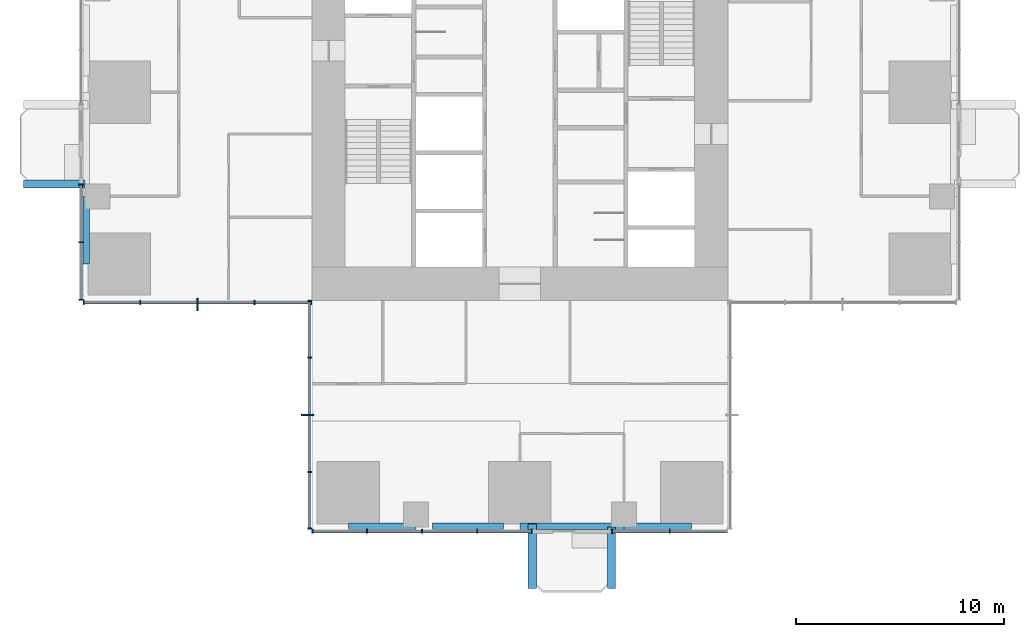
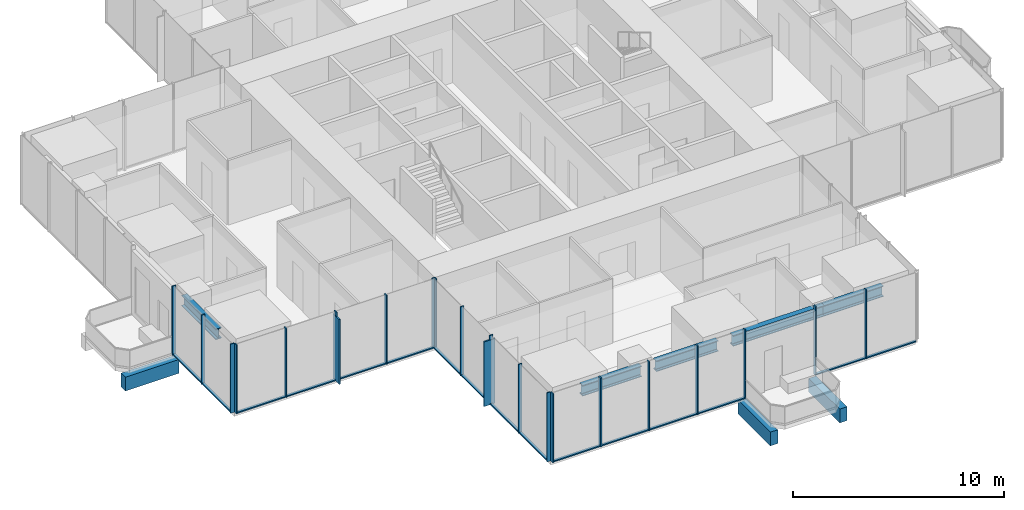
# One storey, part 2 of 14: 38 members, 8 beams, 5 elements without a shape of their own.
"""IFC4 building model written with IfcOpenShell, lengths in metres."""

import ifcopenshell
import ifcopenshell.guid

model = None  # the IFC model being written
_history = None  # IfcOwnerHistory: only IFC2X3 demands one
_inside = {}  # id of a spatial element -> (the spatial element, [elements in it])
_under = {}  # id of a project, library or spatial element -> (it, [spatial elements below it])
_declared = {}  # id of a project -> (the project, [libraries it declares])
_typed = {}  # id of a type object -> (the type object, [elements of that type])
_made_of = {}  # id of a material, layer set ... -> (it, [elements and type objects made of it])


def new_model(schema):
    """Start an empty IFC model of exactly this schema.

    Asked for "IFC4X3", IfcOpenShell would pick the latest addendum, in which some entities
    have other attributes; the version numbers below select the first issue.
    IFC2X3 requires an IfcOwnerHistory on every rooted entity: one is made here for all.
    """
    global model, _history
    if schema == "IFC4X3":
        model = ifcopenshell.file(schema_version=(4, 3, 0, 0))
    else:
        model = ifcopenshell.file(schema=schema)
    _inside.clear()
    _under.clear()
    _declared.clear()
    _typed.clear()
    _made_of.clear()
    _history = None
    if model.schema == "IFC2X3":
        org = make("IfcOrganization", Name="unknown")
        user = make(
            "IfcPersonAndOrganization",
            ThePerson=make("IfcPerson", FamilyName="unknown"),
            TheOrganization=org,
        )
        app = make(
            "IfcApplication",
            ApplicationDeveloper=org,
            Version="unknown",
            ApplicationFullName="unknown",
            ApplicationIdentifier="unknown",
        )
        _history = make(
            "IfcOwnerHistory",
            OwningUser=user,
            OwningApplication=app,
            ChangeAction="ADDED",
            CreationDate=0,
        )
    return model


def make(cls, **values):
    """One entity of the class cls with the attributes given. An attribute that is None is left unset."""
    return model.create_entity(
        cls, **{name: value for name, value in values.items() if value is not None}
    )


def rooted(cls, **values):
    """An entity with a GlobalId (a new one), such as an element, a storey or a relation."""
    return make(cls, GlobalId=ifcopenshell.guid.new(), OwnerHistory=_history, **values)


def si_unit(unit_type, name, prefix=None):
    """IfcSIUnit, for example si_unit("LENGTHUNIT", "METRE", prefix="MILLI")."""
    return make("IfcSIUnit", UnitType=unit_type, Prefix=prefix, Name=name)


def assignment(units):
    """IfcUnitAssignment: the units of a project."""
    return None if units is None else make("IfcUnitAssignment", Units=units)


def point(xyz):
    """IfcCartesianPoint."""
    return None if xyz is None else make("IfcCartesianPoint", Coordinates=xyz)


def direction(xyz):
    """IfcDirection."""
    return None if xyz is None else make("IfcDirection", DirectionRatios=xyz)


def frame(location, z_axis=None, x_axis=None):
    """IfcAxis2Placement3D, a coordinate frame: its origin and axes. An axis left out is left unset."""
    return make(
        "IfcAxis2Placement3D",
        Location=point(location),
        Axis=direction(z_axis),
        RefDirection=direction(x_axis),
    )


def frame_2d(location, x_axis=None):
    """IfcAxis2Placement2D, a coordinate frame in the plane: its origin and x axis."""
    return make(
        "IfcAxis2Placement2D", Location=point(location), RefDirection=direction(x_axis)
    )


def origin():
    """The frame at (0, 0, 0) with its axes left unset."""
    return frame((0.0, 0.0, 0.0))


def origin_2d():
    """The frame at (0, 0) in the plane with its x axis left unset."""
    return frame_2d((0.0, 0.0))


def place(relative_to, where):
    """IfcLocalPlacement: puts the frame where relative to a parent placement (None: the world)."""
    return make(
        "IfcLocalPlacement", PlacementRelTo=relative_to, RelativePlacement=where
    )


def context(
    kind, dimensions, precision=None, world=None, true_north=None, identifier=None
):
    """IfcGeometricRepresentationContext, for example the 3D "Model" context."""
    return make(
        "IfcGeometricRepresentationContext",
        ContextIdentifier=identifier,
        ContextType=kind,
        CoordinateSpaceDimension=dimensions,
        Precision=precision,
        WorldCoordinateSystem=world,
        TrueNorth=true_north,
    )


def subcontext(parent, identifier, kind, view, scale=None):
    """IfcGeometricRepresentationSubContext, for example "Body" below "Model"."""
    return make(
        "IfcGeometricRepresentationSubContext",
        ContextIdentifier=identifier,
        ContextType=kind,
        ParentContext=parent,
        TargetScale=scale,
        TargetView=view,
    )


def project(units=None, contexts=None):
    """IfcProject with its units and contexts."""
    return rooted(
        "IfcProject",
        Name="project",
        RepresentationContexts=contexts,
        UnitsInContext=assignment(units),
    )


def spatial(cls, under=None, at=None, **own):
    """A site, building, storey or space (cls), placed at a placement, below another one or the project."""
    s = rooted(cls, ObjectPlacement=at, **own)
    if under is not None:
        _under.setdefault(under.id(), (under, []))[1].append(s)
    return s


def profile(cls, at=None, kind="AREA", **sizes):
    """A parametric profile (cls). Its sizes go by their IFC names, for example OverallWidth=200.0."""
    return make(cls, ProfileType=kind, Position=at, **sizes)


def rectangle(**sizes):
    """IfcRectangleProfileDef."""
    return profile("IfcRectangleProfileDef", **sizes)


def i_section(**sizes):
    """IfcIShapeProfileDef."""
    return profile("IfcIShapeProfileDef", **sizes)


def extrude(swept, where, along, depth):
    """IfcExtrudedAreaSolid: the profile swept, set in the frame where, extruded along a direction by depth."""
    return make(
        "IfcExtrudedAreaSolid",
        SweptArea=swept,
        Position=where,
        ExtrudedDirection=direction(along),
        Depth=depth,
    )


def shape(context_of_items, identifier, shape_type, items):
    """IfcShapeRepresentation: the items that make up one representation, for example the "Body"."""
    return make(
        "IfcShapeRepresentation",
        ContextOfItems=context_of_items,
        RepresentationIdentifier=identifier,
        RepresentationType=shape_type,
        Items=items,
    )


def material(Name=None, Category=None):
    """IfcMaterial."""
    return make("IfcMaterial", Name=Name, Category=Category)


def material_profile(
    of_material, cross_section, Name=None, Category=None, Priority=None
):
    """IfcMaterialProfile: a cross section and its material."""
    return make(
        "IfcMaterialProfile",
        Name=Name,
        Material=of_material,
        Profile=cross_section,
        Priority=Priority,
        Category=Category,
    )


def profile_set(profiles, Name=None, composite=None):
    """IfcMaterialProfileSet."""
    return make(
        "IfcMaterialProfileSet",
        Name=Name,
        MaterialProfiles=profiles,
        CompositeProfile=composite,
    )


def made_of(thing, what):
    """Note that an element or type object is made of a material, layer set ...; save() writes the relation."""
    if what is not None:
        _made_of.setdefault(what.id(), (what, []))[1].append(thing)
    return thing


def type_object(cls, material=None, **own):
    """A type object (cls), such as IfcWallType, which elements share."""
    return made_of(rooted(cls, **own), material)


def element(
    cls,
    number,
    at=None,
    inside=None,
    cuts=None,
    type_object=None,
    material=None,
    context=None,
    identifier="Body",
    shape_type=None,
    held_by="IfcProductDefinitionShape",
    body=None,
    shapes=None,
    **own,
):
    """One element of the class cls, such as IfcWall. Its Tag is "e" and its number.

    at: its placement. inside: the storey or other place that contains it. cuts: it is an
    opening in that element (IfcRelVoidsElement). A single representation is given by context,
    identifier, shape_type and body (its items); several are given by shapes. held_by: the class
    of the entity that holds the representations. save() writes the other relations.
    """
    e = rooted(cls, Tag="e%d" % number, ObjectPlacement=at, **own)
    if body is not None:
        shapes = [shape(context, identifier, shape_type, body)]
    if shapes is not None:
        e.Representation = make(held_by, Representations=shapes)
    if inside is not None:
        _inside.setdefault(inside.id(), (inside, []))[1].append(e)
    if cuts is not None:
        rooted(
            "IfcRelVoidsElement", RelatingBuildingElement=cuts, RelatedOpeningElement=e
        )
    if type_object is not None:
        _typed.setdefault(type_object.id(), (type_object, []))[1].append(e)
    return made_of(e, material)


def aggregate(whole, parts):
    """IfcRelAggregates: a whole, such as a stair, and the parts it consists of."""
    return rooted("IfcRelAggregates", RelatingObject=whole, RelatedObjects=parts)


def save(model, path):
    """Write the relations noted so far, then the file.

    IfcRelAggregates (storeys below a building ...), IfcRelContainedInSpatialStructure (elements
    in a storey), IfcRelDefinesByType, IfcRelAssociatesMaterial and IfcRelDeclares: one each for
    every whole, place, type object, material and project.
    """
    for whole, parts in _under.values():
        aggregate(whole, parts)
    for where, things in _inside.values():
        rooted(
            "IfcRelContainedInSpatialStructure",
            RelatedElements=things,
            RelatingStructure=where,
        )
    for kind, things in _typed.values():
        rooted("IfcRelDefinesByType", RelatedObjects=things, RelatingType=kind)
    for what, things in _made_of.values():
        rooted("IfcRelAssociatesMaterial", RelatedObjects=things, RelatingMaterial=what)
    for by, libraries in _declared.values():
        rooted("IfcRelDeclares", RelatingContext=by, RelatedDefinitions=libraries)
    model.write(path)


model = new_model("IFC4")

# Units and contexts
model_context = context("Model", 3, precision=1e-05, world=origin(), true_north=direction((0.0, 1.0)))
body_context = subcontext(model_context, "Body", "Model", "MODEL_VIEW")
ifc_project = project(units=[si_unit("LENGTHUNIT", "METRE"), si_unit("AREAUNIT", "SQUARE_METRE"), si_unit("VOLUMEUNIT", "CUBIC_METRE"), si_unit("PLANEANGLEUNIT", "RADIAN"), si_unit("MASSUNIT", "GRAM", prefix="KILO")], contexts=[model_context])

# Site, building, storey
site_placement = place(None, origin())
site = spatial("IfcSite", under=ifc_project, at=site_placement, CompositionType="ELEMENT")
building_placement = place(site_placement, origin())
building = spatial("IfcBuilding", under=site, at=building_placement, Name="Svetlomir Tower", CompositionType="ELEMENT")
storey_placement = place(building_placement, frame((0.0, 0.0, 104.5)))
storey = spatial("IfcBuildingStorey", under=building, at=storey_placement, Name="L24", CompositionType="ELEMENT", Elevation=104.5)

# Beams
ifc_material_1 = material(Name="Concrete C60/75", Category="concrete")
ifc_material_profile_1 = material_profile(ifc_material_1, rectangle(XDim=0.39990234375, YDim=0.800048828125, at=origin_2d()), Name="RC 400x800")
ifc_profile_set_1 = profile_set([ifc_material_profile_1], Name="Concrete C60/75")
beam_type_1 = type_object("IfcBeamType", Name="BALCONY RIB RC 400x800", PredefinedType="BEAM", material=ifc_profile_set_1)
beam_1_placement = place(storey_placement, frame((21.60009765625, 0.25, -0.64990234375), z_axis=(0.0, -1.0, 0.0), x_axis=(1.0, 0.0, 0.0)))
element("IfcBeam", 1, at=beam_1_placement, inside=storey, type_object=beam_type_1, Name="Balcony rib S 1 L24", PredefinedType="BEAM", context=body_context, shape_type="SweptSolid", body=[
    extrude(rectangle(XDim=0.39990234375, YDim=0.800048828125, at=origin_2d()), origin(), (0.0, 0.0, 1.0), 3.10009765625),
])
for number, where, z_axis, x_axis, name in (
    (2, (25.39990234375, 0.10009765625, -0.64990234375), (0.0, -1.0, 0.0), (1.0, 0.0, 0.0), "Balcony rib S 2 L24"),
    (3, (0.10009765625, 16.60009765625, -0.64990234375), (-1.0, 0.0, 0.0), (0.0, -1.0, 0.0), "Balcony rib W 1 L24"),
):
    element("IfcBeam", number, at=place(storey_placement, frame(where, z_axis=z_axis, x_axis=x_axis)), inside=storey, type_object=beam_type_1, Name=name, PredefinedType="BEAM", context=body_context, shape_type="SweptSolid", body=[
        extrude(rectangle(XDim=0.39990234375, YDim=0.800048828125, at=origin_2d()), origin(), (0.0, 0.0, 1.0), 2.9501953125),
    ])

# Curtain wall, member
ifc_material_2 = material(Name="Bronze anodised aluminium curtain wall", Category="aluminium")
curtain_wall_type = type_object("IfcCurtainWallType", Name="CURTAIN WALL CW1 TOWER OFFICE", PredefinedType="NOTDEFINED", material=ifc_material_2)
curtain_wall_1_placement = place(storey_placement, origin())
curtain_wall_1 = element("IfcCurtainWall", 4, at=curtain_wall_1_placement, inside=storey, type_object=curtain_wall_type, Name="Curtain wall CW1 L24", PredefinedType="NOTDEFINED")
ifc_material_3 = material(Name="Bronze anodised aluminium", Category="aluminium")
ifc_material_profile_2 = material_profile(ifc_material_3, rectangle(XDim=0.080078125, YDim=0.60009765625, at=origin_2d()), Name="FIN 80x600")
ifc_profile_set_2 = profile_set([ifc_material_profile_2], Name="Bronze anodised aluminium 6063-T6")
member_type_1 = type_object("IfcMemberType", Name="BRONZE FIN 80x600", PredefinedType="USERDEFINED", material=ifc_profile_set_2)
member_1_placement = place(storey_placement, frame((5.5, 10.800048828125, 0.0), z_axis=(0.0, 0.0, 1.0), x_axis=(1.0, 0.0, 0.0)))
member_1 = element("IfcMember", 5, at=member_1_placement, type_object=member_type_1, Name="Bronze fin L24", ObjectType="FIN", PredefinedType="USERDEFINED", context=body_context, shape_type="SweptSolid", body=[
    extrude(rectangle(XDim=0.080078125, YDim=0.60009765625, at=origin_2d()), origin(), (0.0, 0.0, 1.0), 3.75),
])

curtain_wall_2_placement = place(storey_placement, origin())
curtain_wall_2 = element("IfcCurtainWall", 6, at=curtain_wall_2_placement, inside=storey, type_object=curtain_wall_type, Name="Curtain wall CW1 L24", PredefinedType="NOTDEFINED")
member_2_placement = place(storey_placement, frame((10.800048828125, 5.5, 0.0), z_axis=(0.0, 0.0, 1.0), x_axis=(0.0, 1.0, 0.0)))
member_2 = element("IfcMember", 7, at=member_2_placement, type_object=member_type_1, Name="Bronze fin L24", ObjectType="FIN", PredefinedType="USERDEFINED", context=body_context, shape_type="SweptSolid", body=[
    extrude(rectangle(XDim=0.080078125, YDim=0.60009765625, at=origin_2d()), origin(), (0.0, 0.0, 1.0), 3.75),
])

# Curtain wall, members
curtain_wall_3_placement = place(storey_placement, origin())
curtain_wall_3 = element("IfcCurtainWall", 8, at=curtain_wall_3_placement, inside=storey, type_object=curtain_wall_type, Name="Curtain wall CW1 L24", PredefinedType="NOTDEFINED")
ifc_material_4 = material(Name="Bronze anodised aluminium", Category="aluminium")
ifc_material_profile_3 = material_profile(ifc_material_4, rectangle(XDim=0.06494140625, YDim=0.199951171875, at=origin_2d()), Name="AL 65x200")
ifc_profile_set_3 = profile_set([ifc_material_profile_3], Name="Bronze anodised aluminium 6063-T6")
member_type_2 = type_object("IfcMemberType", Name="CW1 MULLION 65x200", PredefinedType="MULLION", material=ifc_profile_set_3)
member_3_placement = place(storey_placement, frame((11.032470703125, -0.10009765625, 0.0), z_axis=(0.0, 0.0, 1.0), x_axis=(1.0, 0.0, 0.0)))
member_3 = element("IfcMember", 9, at=member_3_placement, type_object=member_type_2, Name="CW1 mullion 1", PredefinedType="MULLION", context=body_context, shape_type="SweptSolid", body=[
    extrude(rectangle(XDim=0.06494140625, YDim=0.199951171875, at=origin_2d()), origin(), (0.0, 0.0, 1.0), 4.0),
])
member_4_placement = place(storey_placement, frame((13.64990234375, -0.10009765625, 0.0), z_axis=(0.0, 0.0, 1.0), x_axis=(1.0, 0.0, 0.0)))
member_4 = element("IfcMember", 10, at=member_4_placement, type_object=member_type_2, Name="CW1 mullion 2", PredefinedType="MULLION", context=body_context, shape_type="SweptSolid", body=[
    extrude(rectangle(XDim=0.06494140625, YDim=0.199951171875, at=origin_2d()), origin(), (0.0, 0.0, 1.0), 4.0),
])
member_5_placement = place(storey_placement, frame((16.300048828125, -0.10009765625, 0.0), z_axis=(0.0, 0.0, 1.0), x_axis=(1.0, 0.0, 0.0)))
member_5 = element("IfcMember", 11, at=member_5_placement, type_object=member_type_2, Name="CW1 mullion 3", PredefinedType="MULLION", context=body_context, shape_type="SweptSolid", body=[
    extrude(rectangle(XDim=0.06494140625, YDim=0.199951171875, at=origin_2d()), origin(), (0.0, 0.0, 1.0), 4.0),
])
member_6_placement = place(storey_placement, frame((18.949951171875, -0.10009765625, 0.0), z_axis=(0.0, 0.0, 1.0), x_axis=(1.0, 0.0, 0.0)))
member_6 = element("IfcMember", 12, at=member_6_placement, type_object=member_type_2, Name="CW1 mullion 4", PredefinedType="MULLION", context=body_context, shape_type="SweptSolid", body=[
    extrude(rectangle(XDim=0.06494140625, YDim=0.199951171875, at=origin_2d()), origin(), (0.0, 0.0, 1.0), 4.0),
])
member_7_placement = place(storey_placement, frame((21.5673828125, -0.10009765625, 0.0), z_axis=(0.0, 0.0, 1.0), x_axis=(1.0, 0.0, 0.0)))
member_7 = element("IfcMember", 13, at=member_7_placement, type_object=member_type_2, Name="CW1 mullion 5", PredefinedType="MULLION", context=body_context, shape_type="SweptSolid", body=[
    extrude(rectangle(XDim=0.06494140625, YDim=0.199951171875, at=origin_2d()), origin(), (0.0, 0.0, 1.0), 4.0),
])

curtain_wall_4_placement = place(storey_placement, origin())
curtain_wall_4 = element("IfcCurtainWall", 14, at=curtain_wall_4_placement, inside=storey, type_object=curtain_wall_type, Name="Curtain wall CW1 L24", PredefinedType="NOTDEFINED")
member_8_placement = place(storey_placement, frame((25.4326171875, -0.10009765625, 0.0), z_axis=(0.0, 0.0, 1.0), x_axis=(1.0, 0.0, 0.0)))
member_8 = element("IfcMember", 15, at=member_8_placement, type_object=member_type_2, Name="CW1 mullion 1", PredefinedType="MULLION", context=body_context, shape_type="SweptSolid", body=[
    extrude(rectangle(XDim=0.06494140625, YDim=0.199951171875, at=origin_2d()), origin(), (0.0, 0.0, 1.0), 4.0),
])
member_9_placement = place(storey_placement, frame((28.199951171875, -0.10009765625, 0.0), z_axis=(0.0, 0.0, 1.0), x_axis=(1.0, 0.0, 0.0)))
member_9 = element("IfcMember", 16, at=member_9_placement, type_object=member_type_2, Name="CW1 mullion 2", PredefinedType="MULLION", context=body_context, shape_type="SweptSolid", body=[
    extrude(rectangle(XDim=0.06494140625, YDim=0.199951171875, at=origin_2d()), origin(), (0.0, 0.0, 1.0), 4.0),
])

curtain_wall_5_placement = place(storey_placement, origin())
curtain_wall_5 = element("IfcCurtainWall", 17, at=curtain_wall_5_placement, inside=storey, type_object=curtain_wall_type, Name="Curtain wall CW1 L24", PredefinedType="NOTDEFINED")
member_10_placement = place(storey_placement, frame((-0.10009765625, 16.5673828125, 0.0), z_axis=(0.0, 0.0, 1.0), x_axis=(0.0, -1.0, 0.0)))
member_10 = element("IfcMember", 18, at=member_10_placement, type_object=member_type_2, Name="CW1 mullion 1", PredefinedType="MULLION", context=body_context, shape_type="SweptSolid", body=[
    extrude(rectangle(XDim=0.06494140625, YDim=0.199951171875, at=origin_2d()), origin(), (0.0, 0.0, 1.0), 4.0),
])
member_11_placement = place(storey_placement, frame((-0.10009765625, 13.800048828125, 0.0), z_axis=(0.0, 0.0, 1.0), x_axis=(0.0, -1.0, 0.0)))
member_11 = element("IfcMember", 19, at=member_11_placement, type_object=member_type_2, Name="CW1 mullion 2", PredefinedType="MULLION", context=body_context, shape_type="SweptSolid", body=[
    extrude(rectangle(XDim=0.06494140625, YDim=0.199951171875, at=origin_2d()), origin(), (0.0, 0.0, 1.0), 4.0),
])
member_12_placement = place(storey_placement, frame((-0.10009765625, 11.032470703125, 0.0), z_axis=(0.0, 0.0, 1.0), x_axis=(0.0, -1.0, 0.0)))
member_12 = element("IfcMember", 20, at=member_12_placement, type_object=member_type_2, Name="CW1 mullion 3", PredefinedType="MULLION", context=body_context, shape_type="SweptSolid", body=[
    extrude(rectangle(XDim=0.06494140625, YDim=0.199951171875, at=origin_2d()), origin(), (0.0, 0.0, 1.0), 4.0),
])

# Member
member_13_placement = place(storey_placement, frame((0.032470703125, 10.89990234375, 0.0), z_axis=(0.0, 0.0, 1.0), x_axis=(1.0, 0.0, 0.0)))
member_13 = element("IfcMember", 21, at=member_13_placement, type_object=member_type_2, Name="CW1 mullion 1", PredefinedType="MULLION", context=body_context, shape_type="SweptSolid", body=[
    extrude(rectangle(XDim=0.06494140625, YDim=0.199951171875, at=origin_2d()), origin(), (0.0, 0.0, 1.0), 4.0),
])

member_14_placement = place(storey_placement, frame((2.75, 10.89990234375, 0.0), z_axis=(0.0, 0.0, 1.0), x_axis=(1.0, 0.0, 0.0)))
member_14 = element("IfcMember", 22, at=member_14_placement, type_object=member_type_2, Name="CW1 mullion 2", PredefinedType="MULLION", context=body_context, shape_type="SweptSolid", body=[
    extrude(rectangle(XDim=0.06494140625, YDim=0.199951171875, at=origin_2d()), origin(), (0.0, 0.0, 1.0), 4.0),
])

member_15_placement = place(storey_placement, frame((5.5, 10.89990234375, 0.0), z_axis=(0.0, 0.0, 1.0), x_axis=(1.0, 0.0, 0.0)))
member_15 = element("IfcMember", 23, at=member_15_placement, type_object=member_type_2, Name="CW1 mullion 3", PredefinedType="MULLION", context=body_context, shape_type="SweptSolid", body=[
    extrude(rectangle(XDim=0.06494140625, YDim=0.199951171875, at=origin_2d()), origin(), (0.0, 0.0, 1.0), 4.0),
])

member_16_placement = place(storey_placement, frame((8.25, 10.89990234375, 0.0), z_axis=(0.0, 0.0, 1.0), x_axis=(1.0, 0.0, 0.0)))
member_16 = element("IfcMember", 24, at=member_16_placement, type_object=member_type_2, Name="CW1 mullion 4", PredefinedType="MULLION", context=body_context, shape_type="SweptSolid", body=[
    extrude(rectangle(XDim=0.06494140625, YDim=0.199951171875, at=origin_2d()), origin(), (0.0, 0.0, 1.0), 4.0),
])

member_17_placement = place(storey_placement, frame((10.967529296875, 10.89990234375, 0.0), z_axis=(0.0, 0.0, 1.0), x_axis=(1.0, 0.0, 0.0)))
member_17 = element("IfcMember", 25, at=member_17_placement, type_object=member_type_2, Name="CW1 mullion 5", PredefinedType="MULLION", context=body_context, shape_type="SweptSolid", body=[
    extrude(rectangle(XDim=0.06494140625, YDim=0.199951171875, at=origin_2d()), origin(), (0.0, 0.0, 1.0), 4.0),
])

member_18_placement = place(storey_placement, frame((10.89990234375, 10.967529296875, 0.0), z_axis=(0.0, 0.0, 1.0), x_axis=(0.0, -1.0, 0.0)))
member_18 = element("IfcMember", 26, at=member_18_placement, type_object=member_type_2, Name="CW1 mullion 1", PredefinedType="MULLION", context=body_context, shape_type="SweptSolid", body=[
    extrude(rectangle(XDim=0.06494140625, YDim=0.199951171875, at=origin_2d()), origin(), (0.0, 0.0, 1.0), 4.0),
])

member_19_placement = place(storey_placement, frame((10.89990234375, 8.25, 0.0), z_axis=(0.0, 0.0, 1.0), x_axis=(0.0, -1.0, 0.0)))
member_19 = element("IfcMember", 27, at=member_19_placement, type_object=member_type_2, Name="CW1 mullion 2", PredefinedType="MULLION", context=body_context, shape_type="SweptSolid", body=[
    extrude(rectangle(XDim=0.06494140625, YDim=0.199951171875, at=origin_2d()), origin(), (0.0, 0.0, 1.0), 4.0),
])

member_20_placement = place(storey_placement, frame((10.89990234375, 5.5, 0.0), z_axis=(0.0, 0.0, 1.0), x_axis=(0.0, -1.0, 0.0)))
member_20 = element("IfcMember", 28, at=member_20_placement, type_object=member_type_2, Name="CW1 mullion 3", PredefinedType="MULLION", context=body_context, shape_type="SweptSolid", body=[
    extrude(rectangle(XDim=0.06494140625, YDim=0.199951171875, at=origin_2d()), origin(), (0.0, 0.0, 1.0), 4.0),
])

member_21_placement = place(storey_placement, frame((10.89990234375, 2.75, 0.0), z_axis=(0.0, 0.0, 1.0), x_axis=(0.0, -1.0, 0.0)))
member_21 = element("IfcMember", 29, at=member_21_placement, type_object=member_type_2, Name="CW1 mullion 4", PredefinedType="MULLION", context=body_context, shape_type="SweptSolid", body=[
    extrude(rectangle(XDim=0.06494140625, YDim=0.199951171875, at=origin_2d()), origin(), (0.0, 0.0, 1.0), 4.0),
])

member_22_placement = place(storey_placement, frame((10.89990234375, 0.032470703125, 0.0), z_axis=(0.0, 0.0, 1.0), x_axis=(0.0, -1.0, 0.0)))
member_22 = element("IfcMember", 30, at=member_22_placement, type_object=member_type_2, Name="CW1 mullion 5", PredefinedType="MULLION", context=body_context, shape_type="SweptSolid", body=[
    extrude(rectangle(XDim=0.06494140625, YDim=0.199951171875, at=origin_2d()), origin(), (0.0, 0.0, 1.0), 4.0),
])

ifc_material_5 = material(Name="Bronze anodised aluminium", Category="aluminium")
ifc_material_profile_4 = material_profile(ifc_material_5, rectangle(XDim=0.139892578125, YDim=0.06494140625, at=origin_2d()), Name="AL 140x65")
ifc_profile_set_4 = profile_set([ifc_material_profile_4], Name="Bronze anodised aluminium 6063-T6")
member_type_3 = type_object("IfcMemberType", Name="CW1 TRANSOM 65x140", PredefinedType="USERDEFINED", material=ifc_profile_set_4)
member_23_placement = place(storey_placement, frame((11.06494140625, -0.10009765625, 0.032470703125), z_axis=(1.0, 0.0, 0.0), x_axis=(0.0, 1.0, 0.0)))
member_23 = element("IfcMember", 31, at=member_23_placement, type_object=member_type_3, Name="CW1 transom 1.1", ObjectType="TRANSOM", PredefinedType="USERDEFINED", context=body_context, shape_type="SweptSolid", body=[
    extrude(rectangle(XDim=0.139892578125, YDim=0.06494140625, at=origin_2d()), origin(), (0.0, 0.0, 1.0), 2.552490234375),
])

member_24_placement = place(storey_placement, frame((13.6826171875, -0.10009765625, 0.032470703125), z_axis=(1.0, 0.0, 0.0), x_axis=(0.0, 1.0, 0.0)))
member_24 = element("IfcMember", 32, at=member_24_placement, type_object=member_type_3, Name="CW1 transom 2.1", ObjectType="TRANSOM", PredefinedType="USERDEFINED", context=body_context, shape_type="SweptSolid", body=[
    extrude(rectangle(XDim=0.139892578125, YDim=0.06494140625, at=origin_2d()), origin(), (0.0, 0.0, 1.0), 2.5849609375),
])

member_25_placement = place(storey_placement, frame((16.33251953125, -0.10009765625, 0.032470703125), z_axis=(1.0, 0.0, 0.0), x_axis=(0.0, 1.0, 0.0)))
member_25 = element("IfcMember", 33, at=member_25_placement, type_object=member_type_3, Name="CW1 transom 3.1", ObjectType="TRANSOM", PredefinedType="USERDEFINED", context=body_context, shape_type="SweptSolid", body=[
    extrude(rectangle(XDim=0.139892578125, YDim=0.06494140625, at=origin_2d()), origin(), (0.0, 0.0, 1.0), 2.5849609375),
])

member_26_placement = place(storey_placement, frame((18.982421875, -0.10009765625, 0.032470703125), z_axis=(1.0, 0.0, 0.0), x_axis=(0.0, 1.0, 0.0)))
member_26 = element("IfcMember", 34, at=member_26_placement, type_object=member_type_3, Name="CW1 transom 4.1", ObjectType="TRANSOM", PredefinedType="USERDEFINED", context=body_context, shape_type="SweptSolid", body=[
    extrude(rectangle(XDim=0.139892578125, YDim=0.06494140625, at=origin_2d()), origin(), (0.0, 0.0, 1.0), 2.552490234375),
])

aggregate(curtain_wall_3, [member_3, member_4, member_5, member_6, member_7, member_23, member_24, member_25, member_26])

member_27_placement = place(storey_placement, frame((25.465087890625, -0.10009765625, 0.032470703125), z_axis=(1.0, 0.0, 0.0), x_axis=(0.0, 1.0, 0.0)))
member_27 = element("IfcMember", 35, at=member_27_placement, type_object=member_type_3, Name="CW1 transom 1.1", ObjectType="TRANSOM", PredefinedType="USERDEFINED", context=body_context, shape_type="SweptSolid", body=[
    extrude(rectangle(XDim=0.139892578125, YDim=0.06494140625, at=origin_2d()), origin(), (0.0, 0.0, 1.0), 2.702392578125),
])

member_28_placement = place(storey_placement, frame((28.232421875, -0.10009765625, 0.032470703125), z_axis=(1.0, 0.0, 0.0), x_axis=(0.0, 1.0, 0.0)))
member_28 = element("IfcMember", 36, at=member_28_placement, type_object=member_type_3, Name="CW1 transom 2.1", ObjectType="TRANSOM", PredefinedType="USERDEFINED", context=body_context, shape_type="SweptSolid", body=[
    extrude(rectangle(XDim=0.139892578125, YDim=0.06494140625, at=origin_2d()), origin(), (0.0, 0.0, 1.0), 2.70263671875),
])

aggregate(curtain_wall_4, [member_8, member_9, member_27, member_28])

member_29_placement = place(storey_placement, frame((-0.10009765625, 16.534912109375, 0.032470703125), z_axis=(0.0, -1.0, 0.0), x_axis=(1.0, 0.0, 0.0)))
member_29 = element("IfcMember", 37, at=member_29_placement, type_object=member_type_3, Name="CW1 transom 1.1", ObjectType="TRANSOM", PredefinedType="USERDEFINED", context=body_context, shape_type="SweptSolid", body=[
    extrude(rectangle(XDim=0.139892578125, YDim=0.06494140625, at=origin_2d()), origin(), (0.0, 0.0, 1.0), 2.702392578125),
])

member_30_placement = place(storey_placement, frame((-0.10009765625, 13.767578125, 0.032470703125), z_axis=(0.0, -1.0, 0.0), x_axis=(1.0, 0.0, 0.0)))
member_30 = element("IfcMember", 38, at=member_30_placement, type_object=member_type_3, Name="CW1 transom 2.1", ObjectType="TRANSOM", PredefinedType="USERDEFINED", context=body_context, shape_type="SweptSolid", body=[
    extrude(rectangle(XDim=0.139892578125, YDim=0.06494140625, at=origin_2d()), origin(), (0.0, 0.0, 1.0), 2.70263671875),
])

aggregate(curtain_wall_5, [member_10, member_11, member_12, member_29, member_30])

member_31_placement = place(storey_placement, frame((0.06494140625, 10.89990234375, 0.032470703125), z_axis=(1.0, 0.0, 0.0), x_axis=(0.0, 1.0, 0.0)))
member_31 = element("IfcMember", 39, at=member_31_placement, type_object=member_type_3, Name="CW1 transom 1.1", ObjectType="TRANSOM", PredefinedType="USERDEFINED", context=body_context, shape_type="SweptSolid", body=[
    extrude(rectangle(XDim=0.139892578125, YDim=0.06494140625, at=origin_2d()), origin(), (0.0, 0.0, 1.0), 2.652587890625),
])

member_32_placement = place(storey_placement, frame((2.782470703125, 10.89990234375, 0.032470703125), z_axis=(1.0, 0.0, 0.0), x_axis=(0.0, 1.0, 0.0)))
member_32 = element("IfcMember", 40, at=member_32_placement, type_object=member_type_3, Name="CW1 transom 2.1", ObjectType="TRANSOM", PredefinedType="USERDEFINED", context=body_context, shape_type="SweptSolid", body=[
    extrude(rectangle(XDim=0.139892578125, YDim=0.06494140625, at=origin_2d()), origin(), (0.0, 0.0, 1.0), 2.68505859375),
])

member_33_placement = place(storey_placement, frame((5.532470703125, 10.89990234375, 0.032470703125), z_axis=(1.0, 0.0, 0.0), x_axis=(0.0, 1.0, 0.0)))
member_33 = element("IfcMember", 41, at=member_33_placement, type_object=member_type_3, Name="CW1 transom 3.1", ObjectType="TRANSOM", PredefinedType="USERDEFINED", context=body_context, shape_type="SweptSolid", body=[
    extrude(rectangle(XDim=0.139892578125, YDim=0.06494140625, at=origin_2d()), origin(), (0.0, 0.0, 1.0), 2.68505859375),
])

member_34_placement = place(storey_placement, frame((8.282470703125, 10.89990234375, 0.032470703125), z_axis=(1.0, 0.0, 0.0), x_axis=(0.0, 1.0, 0.0)))
member_34 = element("IfcMember", 42, at=member_34_placement, type_object=member_type_3, Name="CW1 transom 4.1", ObjectType="TRANSOM", PredefinedType="USERDEFINED", context=body_context, shape_type="SweptSolid", body=[
    extrude(rectangle(XDim=0.139892578125, YDim=0.06494140625, at=origin_2d()), origin(), (0.0, 0.0, 1.0), 2.652587890625),
])

aggregate(curtain_wall_1, [member_13, member_14, member_15, member_16, member_17, member_31, member_32, member_33, member_34, member_1])

member_35_placement = place(storey_placement, frame((10.89990234375, 10.93505859375, 0.032470703125), z_axis=(0.0, -1.0, 0.0), x_axis=(1.0, 0.0, 0.0)))
member_35 = element("IfcMember", 43, at=member_35_placement, type_object=member_type_3, Name="CW1 transom 1.1", ObjectType="TRANSOM", PredefinedType="USERDEFINED", context=body_context, shape_type="SweptSolid", body=[
    extrude(rectangle(XDim=0.139892578125, YDim=0.06494140625, at=origin_2d()), origin(), (0.0, 0.0, 1.0), 2.652587890625),
])

member_36_placement = place(storey_placement, frame((10.89990234375, 8.217529296875, 0.032470703125), z_axis=(0.0, -1.0, 0.0), x_axis=(1.0, 0.0, 0.0)))
member_36 = element("IfcMember", 44, at=member_36_placement, type_object=member_type_3, Name="CW1 transom 2.1", ObjectType="TRANSOM", PredefinedType="USERDEFINED", context=body_context, shape_type="SweptSolid", body=[
    extrude(rectangle(XDim=0.139892578125, YDim=0.06494140625, at=origin_2d()), origin(), (0.0, 0.0, 1.0), 2.68505859375),
])

member_37_placement = place(storey_placement, frame((10.89990234375, 5.467529296875, 0.032470703125), z_axis=(0.0, -1.0, 0.0), x_axis=(1.0, 0.0, 0.0)))
member_37 = element("IfcMember", 45, at=member_37_placement, type_object=member_type_3, Name="CW1 transom 3.1", ObjectType="TRANSOM", PredefinedType="USERDEFINED", context=body_context, shape_type="SweptSolid", body=[
    extrude(rectangle(XDim=0.139892578125, YDim=0.06494140625, at=origin_2d()), origin(), (0.0, 0.0, 1.0), 2.68505859375),
])

member_38_placement = place(storey_placement, frame((10.89990234375, 2.717529296875, 0.032470703125), z_axis=(0.0, -1.0, 0.0), x_axis=(1.0, 0.0, 0.0)))
member_38 = element("IfcMember", 46, at=member_38_placement, type_object=member_type_3, Name="CW1 transom 4.1", ObjectType="TRANSOM", PredefinedType="USERDEFINED", context=body_context, shape_type="SweptSolid", body=[
    extrude(rectangle(XDim=0.139892578125, YDim=0.06494140625, at=origin_2d()), origin(), (0.0, 0.0, 1.0), 2.652587890625),
])

aggregate(curtain_wall_2, [member_18, member_19, member_20, member_21, member_22, member_35, member_36, member_37, member_38, member_2])

# Beams
ifc_material_6 = material(Name="Steel S355", Category="steel")
ifc_material_profile_5 = material_profile(ifc_material_6, i_section(OverallWidth=0.304931640625, OverallDepth=0.6201171875, WebThickness=0.02099609375, FlangeThickness=0.0400390625, FilletRadius=0.027099609375, at=origin_2d()), Name="HEM 600")
ifc_profile_set_5 = profile_set([ifc_material_profile_5], Name="Steel S355")
beam_type_2 = type_object("IfcBeamType", Name="EDGE BEAM HEM 600", PredefinedType="SPANDREL", material=ifc_profile_set_5)
for number, where, z_axis, x_axis, name in (
    (47, (12.75, 0.152587890625, 3.43994140625), (1.0, 0.0, 0.0), (0.0, 1.0, 0.0), "Edge beam 11/0 to 16/0 under L25"),
    (48, (0.152587890625, 12.75, 3.43994140625), (0.0, 1.0, 0.0), (-1.0, 0.0, 0.0), "Edge beam 0/11 to 0/16 under L25"),
):
    element("IfcBeam", number, at=place(storey_placement, frame(where, z_axis=z_axis, x_axis=x_axis)), inside=storey, type_object=beam_type_2, Name=name, PredefinedType="SPANDREL", context=body_context, shape_type="SweptSolid", body=[
        extrude(i_section(OverallWidth=0.304931640625, OverallDepth=0.6201171875, WebThickness=0.02099609375, FlangeThickness=0.0400390625, FilletRadius=0.027099609375, at=origin_2d()), origin(), (0.0, 0.0, 1.0), 3.25),
    ])
beam_2_placement = place(storey_placement, frame((16.800048828125, 0.152587890625, 3.43994140625), z_axis=(1.0, 0.0, 0.0), x_axis=(0.0, 1.0, 0.0)))
element("IfcBeam", 49, at=beam_2_placement, inside=storey, type_object=beam_type_2, Name="Edge beam 16/0 to 21/0 under L25", PredefinedType="SPANDREL", context=body_context, shape_type="SweptSolid", body=[
    extrude(i_section(OverallWidth=0.304931640625, OverallDepth=0.6201171875, WebThickness=0.02099609375, FlangeThickness=0.0400390625, FilletRadius=0.027099609375, at=origin_2d()), origin(), (0.0, 0.0, 1.0), 3.39990234375),
])
beam_3_placement = place(storey_placement, frame((21.0, 0.152587890625, 3.43994140625), z_axis=(1.0, 0.0, 0.0), x_axis=(0.0, 1.0, 0.0)))
element("IfcBeam", 50, at=beam_3_placement, inside=storey, type_object=beam_type_2, Name="Edge beam 21/0 to 26/0 under L25", PredefinedType="SPANDREL", context=body_context, shape_type="SweptSolid", body=[
    extrude(i_section(OverallWidth=0.304931640625, OverallDepth=0.6201171875, WebThickness=0.02099609375, FlangeThickness=0.0400390625, FilletRadius=0.027099609375, at=origin_2d()), origin(), (0.0, 0.0, 1.0), 5.0),
])
beam_4_placement = place(storey_placement, frame((26.0, 0.152587890625, 3.43994140625), z_axis=(1.0, 0.0, 0.0), x_axis=(0.0, 1.0, 0.0)))
element("IfcBeam", 51, at=beam_4_placement, inside=storey, type_object=beam_type_2, Name="Edge beam 26/0 to 31/0 under L25", PredefinedType="SPANDREL", context=body_context, shape_type="SweptSolid", body=[
    extrude(i_section(OverallWidth=0.304931640625, OverallDepth=0.6201171875, WebThickness=0.02099609375, FlangeThickness=0.0400390625, FilletRadius=0.027099609375, at=origin_2d()), origin(), (0.0, 0.0, 1.0), 3.25),
])

save(model, "model.ifc")
